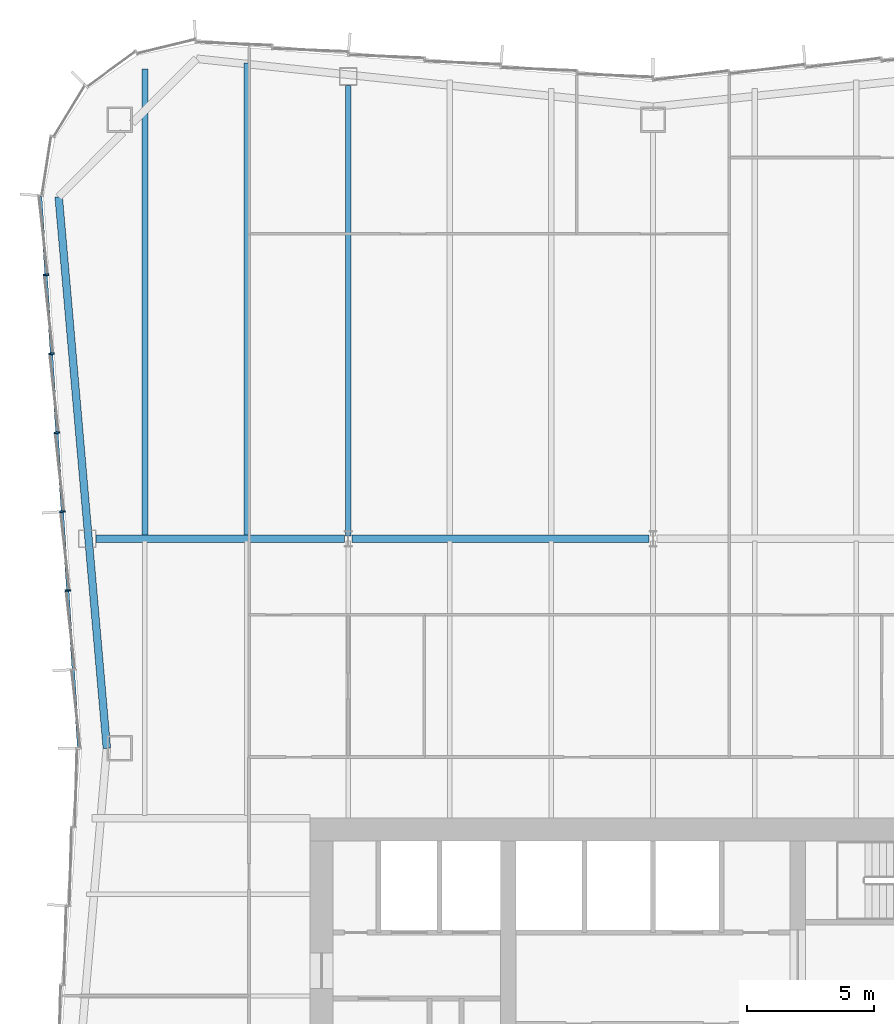
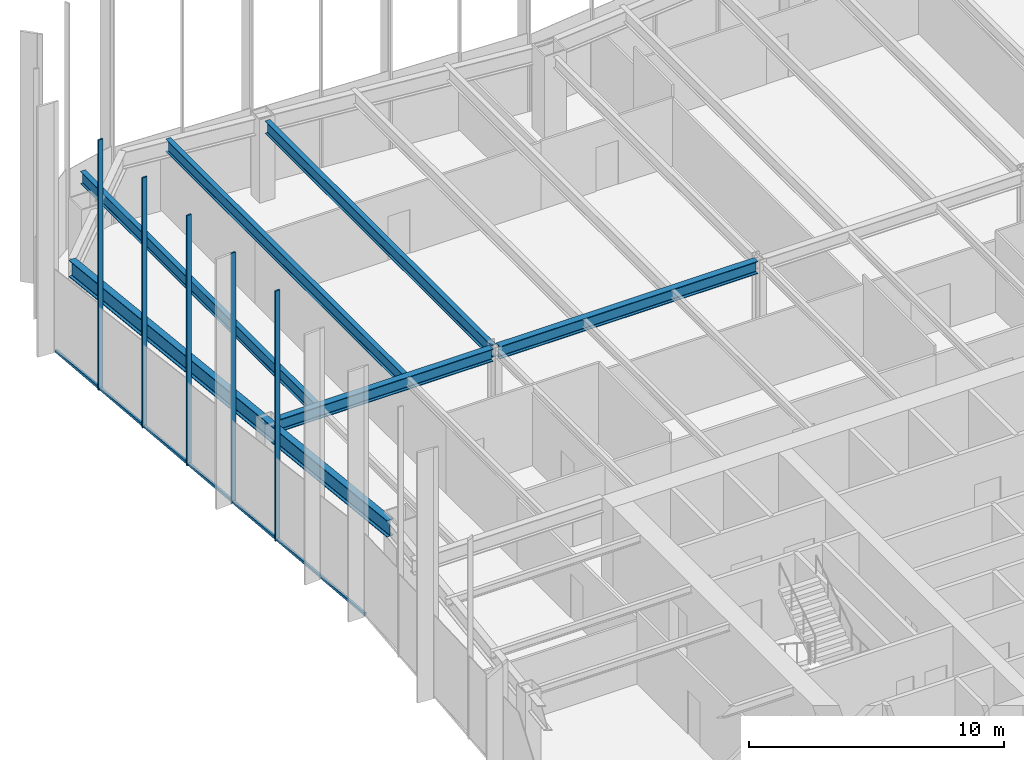
# One storey, part 5 of 13: 6 beams, 6 members, 1 element without a shape of its own.
"""IFC4 building model written with IfcOpenShell, lengths in metres."""

from ifc_helpers import new_model, si_unit, direction, frame, origin, origin_2d, place, context, subcontext, project, spatial, rectangle, i_section, extrude, material, material_profile, profile_set, type_object, element, aggregate, save


model = new_model("IFC4")

# Units and contexts
model_context = context("Model", 3, precision=1e-05, world=origin(), true_north=direction((0.0, 1.0)))
body_context = subcontext(model_context, "Body", "Model", "MODEL_VIEW")
ifc_project = project(units=[si_unit("LENGTHUNIT", "METRE"), si_unit("AREAUNIT", "SQUARE_METRE"), si_unit("VOLUMEUNIT", "CUBIC_METRE"), si_unit("PLANEANGLEUNIT", "RADIAN"), si_unit("MASSUNIT", "GRAM", prefix="KILO")], contexts=[model_context])

# Site, building, storey
site_placement = place(None, origin())
site = spatial("IfcSite", under=ifc_project, at=site_placement, CompositionType="ELEMENT")
building_placement = place(site_placement, origin())
building = spatial("IfcBuilding", under=site, at=building_placement, Name="Verdant Reach Tower", CompositionType="ELEMENT")
storey_placement = place(building_placement, frame((0.0, 0.0, 206.0)))
storey = spatial("IfcBuildingStorey", under=building, at=storey_placement, Name="L47", CompositionType="ELEMENT", Elevation=206.0)

# Curtain wall, members
ifc_material_1 = material(Name="Anodised aluminium", Category="aluminium")
curtain_wall_type = type_object("IfcCurtainWallType", Name="EN-CW SYSTEM Z3", PredefinedType="NOTDEFINED", material=ifc_material_1)
curtain_wall_placement = place(storey_placement, origin())
curtain_wall = element("IfcCurtainWall", 1, at=curtain_wall_placement, inside=storey, type_object=curtain_wall_type, Name="Curtain wall west, L47", PredefinedType="NOTDEFINED")
ifc_material_profile_1 = material_profile(ifc_material_1, rectangle(XDim=0.218017578125, YDim=0.06591796875, at=origin_2d()), Name="Mullion 66x218")
ifc_profile_set_1 = profile_set([ifc_material_profile_1], Name="Anodised aluminium")
member_type_1 = type_object("IfcMemberType", Name="EN-MULLION Z3", PredefinedType="MULLION", material=ifc_profile_set_1)
member_1_placement = place(storey_placement, frame((-23.89453125, 59.88525390625, -0.35009765625), z_axis=(0.0, 0.0, 1.0), x_axis=(-0.997630328423, -0.068802091615, 0.0)))
member_1 = element("IfcMember", 2, at=member_1_placement, type_object=member_type_1, Name="Mullion west face part 1 2, L47", PredefinedType="MULLION", context=body_context, shape_type="SweptSolid", body=[
    extrude(rectangle(XDim=0.218017578125, YDim=0.06591796875, at=origin_2d()), origin(), (0.0, 0.0, 1.0), 12.0),
])
member_2_placement = place(storey_placement, frame((-23.68017578125, 56.7783203125, -0.35009765625), z_axis=(0.0, 0.0, 1.0), x_axis=(-0.997630328423, -0.068802091615, 0.0)))
member_2 = element("IfcMember", 3, at=member_2_placement, type_object=member_type_1, Name="Mullion west face part 1 3, L47", PredefinedType="MULLION", context=body_context, shape_type="SweptSolid", body=[
    extrude(rectangle(XDim=0.218017578125, YDim=0.06591796875, at=origin_2d()), origin(), (0.0, 0.0, 1.0), 12.0),
])
member_3_placement = place(storey_placement, frame((-23.4658203125, 53.671142578125, -0.35009765625), z_axis=(0.0, 0.0, 1.0), x_axis=(-0.997630328423, -0.068802091615, 0.0)))
member_3 = element("IfcMember", 4, at=member_3_placement, type_object=member_type_1, Name="Mullion west face part 1 4, L47", PredefinedType="MULLION", context=body_context, shape_type="SweptSolid", body=[
    extrude(rectangle(XDim=0.218017578125, YDim=0.06591796875, at=origin_2d()), origin(), (0.0, 0.0, 1.0), 12.0),
])
member_4_placement = place(storey_placement, frame((-23.251708984375, 50.56396484375, -0.35009765625), z_axis=(0.0, 0.0, 1.0), x_axis=(-0.997630328423, -0.068802091615, 0.0)))
member_4 = element("IfcMember", 5, at=member_4_placement, type_object=member_type_1, Name="Mullion west face part 1 5, L47", PredefinedType="MULLION", context=body_context, shape_type="SweptSolid", body=[
    extrude(rectangle(XDim=0.218017578125, YDim=0.06591796875, at=origin_2d()), origin(), (0.0, 0.0, 1.0), 12.0),
])
member_5_placement = place(storey_placement, frame((-23.037353515625, 47.456787109375, -0.35009765625), z_axis=(0.0, 0.0, 1.0), x_axis=(-0.997630328423, -0.068802091615, 0.0)))
member_5 = element("IfcMember", 6, at=member_5_placement, type_object=member_type_1, Name="Mullion west face part 1 6, L47", PredefinedType="MULLION", context=body_context, shape_type="SweptSolid", body=[
    extrude(rectangle(XDim=0.218017578125, YDim=0.06591796875, at=origin_2d()), origin(), (0.0, 0.0, 1.0), 12.0),
])
ifc_material_profile_2 = material_profile(ifc_material_1, rectangle(XDim=0.10009765625, YDim=0.1259765625, at=origin_2d()), Name="Transom 126x100")
ifc_profile_set_2 = profile_set([ifc_material_profile_2], Name="Anodised aluminium")
member_type_2 = type_object("IfcMemberType", Name="EN-TRANSOM Z3", PredefinedType="USERDEFINED", material=ifc_profile_set_2)
member_6_placement = place(storey_placement, frame((-24.1064453125, 62.97412109375, -0.287109375), z_axis=(0.068764326054, -0.997632932226, 0.0), x_axis=(0.997632932226, 0.068764326054, 0.0)))
member_6 = element("IfcMember", 7, at=member_6_placement, type_object=member_type_2, Name="Transom west face part 1 1.1, L47", ObjectType="TRANSOM", PredefinedType="USERDEFINED", context=body_context, shape_type="SweptSolid", body=[
    extrude(rectangle(XDim=0.10009765625, YDim=0.1259765625, at=origin_2d()), origin(), (0.0, 0.0, 1.0), 21.74267578125),
])
aggregate(curtain_wall, [member_1, member_2, member_3, member_4, member_5, member_6])

# Beams
ifc_material_2 = material(Name="Steel S355", Category="steel")
ifc_material_profile_3 = material_profile(ifc_material_2, i_section(OverallWidth=0.300048828125, OverallDepth=0.60009765625, WebThickness=0.015380859375, FlangeThickness=0.030029296875, FilletRadius=0.027099609375, at=origin_2d()), Name="HEB 600")
ifc_profile_set_3 = profile_set([ifc_material_profile_3], Name="Steel S355")
beam_type_1 = type_object("IfcBeamType", Name="ST-BEAM-HEB600", PredefinedType="BEAM", material=ifc_profile_set_3)
beam_1_placement = place(storey_placement, frame((-21.9189453125, 49.5, 3.570068359375), z_axis=(1.0, 0.0, 0.0), x_axis=(0.0, 1.0, 0.0)))
element("IfcBeam", 8, at=beam_1_placement, inside=storey, type_object=beam_type_1, Name="Row girder, L47", PredefinedType="BEAM", context=body_context, shape_type="SweptSolid", body=[
    extrude(i_section(OverallWidth=0.300048828125, OverallDepth=0.60009765625, WebThickness=0.015380859375, FlangeThickness=0.030029296875, FilletRadius=0.027099609375, at=origin_2d()), origin(), (0.0, 0.0, 1.0), 9.766357421875),
])
beam_2_placement = place(storey_placement, frame((-11.847412109375, 49.5, 3.570068359375), z_axis=(1.0, 0.0, 0.0), x_axis=(0.0, 1.0, 0.0)))
element("IfcBeam", 9, at=beam_2_placement, inside=storey, type_object=beam_type_1, Name="Row girder, L47", PredefinedType="BEAM", context=body_context, shape_type="SweptSolid", body=[
    extrude(i_section(OverallWidth=0.300048828125, OverallDepth=0.60009765625, WebThickness=0.015380859375, FlangeThickness=0.030029296875, FilletRadius=0.027099609375, at=origin_2d()), origin(), (0.0, 0.0, 1.0), 11.69482421875),
])
ifc_material_profile_4 = material_profile(ifc_material_2, i_section(OverallWidth=0.219970703125, OverallDepth=0.60009765625, WebThickness=0.011962890625, FlangeThickness=0.01904296875, FilletRadius=0.02392578125, at=origin_2d()), Name="IPE 600")
ifc_profile_set_4 = profile_set([ifc_material_profile_4], Name="Steel S355")
beam_type_2 = type_object("IfcBeamType", Name="ST-JOIST-IPE600", PredefinedType="JOIST", material=ifc_profile_set_4)
beam_3_placement = place(storey_placement, frame((-20.0, 49.60009765625, 3.570068359375), z_axis=(0.0, 1.0, 0.0), x_axis=(-1.0, 0.0, 0.0)))
element("IfcBeam", 10, at=beam_3_placement, inside=storey, type_object=beam_type_2, Name="Floor joist, L47", PredefinedType="JOIST", context=body_context, shape_type="SweptSolid", body=[
    extrude(i_section(OverallWidth=0.219970703125, OverallDepth=0.60009765625, WebThickness=0.011962890625, FlangeThickness=0.01904296875, FilletRadius=0.02392578125, at=origin_2d()), origin(), (0.0, 0.0, 1.0), 18.390380859375),
])
beam_4_placement = place(storey_placement, frame((-16.0, 49.60009765625, 3.570068359375), z_axis=(0.0, 1.0, 0.0), x_axis=(-1.0, 0.0, 0.0)))
element("IfcBeam", 11, at=beam_4_placement, inside=storey, type_object=beam_type_2, Name="Floor joist, L47", PredefinedType="JOIST", context=body_context, shape_type="SweptSolid", body=[
    extrude(i_section(OverallWidth=0.219970703125, OverallDepth=0.60009765625, WebThickness=0.011962890625, FlangeThickness=0.01904296875, FilletRadius=0.02392578125, at=origin_2d()), origin(), (0.0, 0.0, 1.0), 18.631103515625),
])
beam_5_placement = place(storey_placement, frame((-12.0, 49.60009765625, 3.570068359375), z_axis=(0.0, 1.0, 0.0), x_axis=(-1.0, 0.0, 0.0)))
element("IfcBeam", 12, at=beam_5_placement, inside=storey, type_object=beam_type_2, Name="Floor joist, L47", PredefinedType="JOIST", context=body_context, shape_type="SweptSolid", body=[
    extrude(i_section(OverallWidth=0.219970703125, OverallDepth=0.60009765625, WebThickness=0.011962890625, FlangeThickness=0.01904296875, FilletRadius=0.02392578125, at=origin_2d()), origin(), (0.0, 0.0, 1.0), 17.75),
])
ifc_material_profile_5 = material_profile(ifc_material_2, i_section(OverallWidth=0.300048828125, OverallDepth=0.800048828125, WebThickness=0.017578125, FlangeThickness=0.032958984375, FilletRadius=0.030029296875, at=origin_2d()), Name="HEB 800")
ifc_profile_set_5 = profile_set([ifc_material_profile_5], Name="Steel S355")
beam_type_3 = type_object("IfcBeamType", Name="ST-SPANDREL-HEB800", PredefinedType="SPANDREL", material=ifc_profile_set_5)
beam_6_placement = place(storey_placement, frame((-21.5, 41.25, 3.469970703125), z_axis=(-0.086996024331, 0.996208658741, 0.0), x_axis=(-0.996208658741, -0.086996024331, 0.0)))
element("IfcBeam", 13, at=beam_6_placement, inside=storey, type_object=beam_type_3, Name="Edge beam, L47", PredefinedType="SPANDREL", context=body_context, shape_type="SweptSolid", body=[
    extrude(i_section(OverallWidth=0.300048828125, OverallDepth=0.800048828125, WebThickness=0.017578125, FlangeThickness=0.032958984375, FilletRadius=0.030029296875, at=origin_2d()), origin(), (0.0, 0.0, 1.0), 21.7939453125),
])

save(model, "model.ifc")
